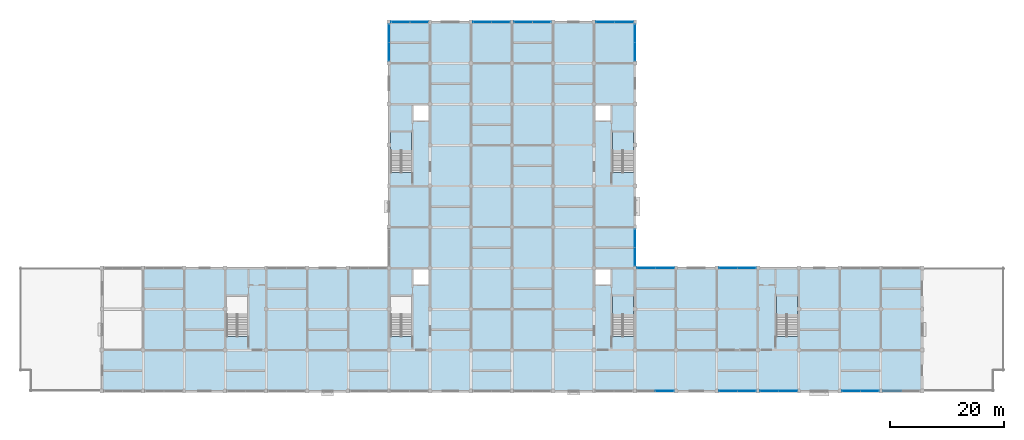
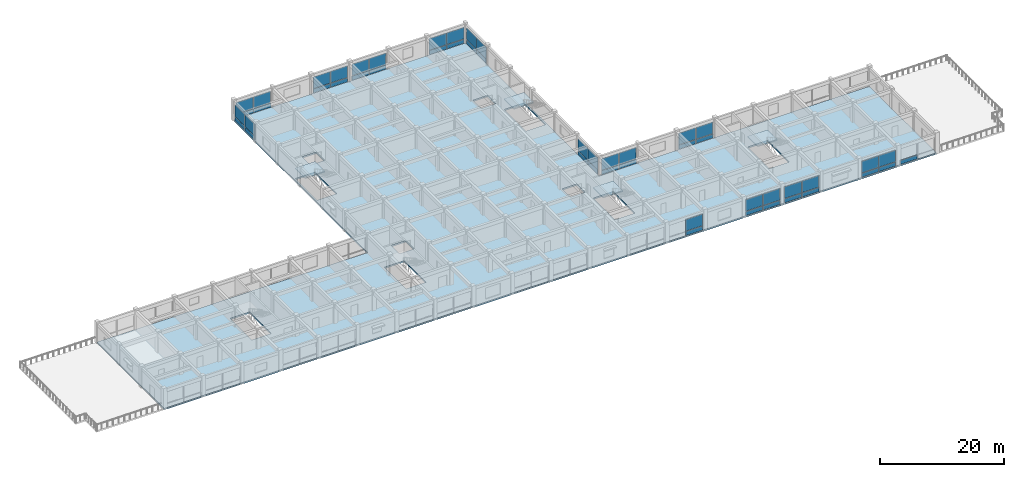
# One storey, part 17 of 31: 51 plates, 5 slabs, 18 elements without a shape of their own.
"""IFC4 building model written with IfcOpenShell, lengths in metres."""

from ifc_helpers import new_model, si_unit, direction, frame, origin, origin_2d, place, context, subcontext, project, spatial, polyline, rectangle, outline, extrude, material, layer, layer_set, type_object, element, aggregate, save


model = new_model("IFC4")

# Units and contexts
model_context = context("Model", 3, precision=1e-05, world=origin(), true_north=direction((0.0, 1.0)))
body_context = subcontext(model_context, "Body", "Model", "MODEL_VIEW")
ifc_project = project(units=[si_unit("LENGTHUNIT", "METRE"), si_unit("AREAUNIT", "SQUARE_METRE"), si_unit("VOLUMEUNIT", "CUBIC_METRE"), si_unit("PLANEANGLEUNIT", "RADIAN"), si_unit("MASSUNIT", "GRAM", prefix="KILO")], contexts=[model_context])

# Site, building, storey
site_placement = place(None, origin())
site = spatial("IfcSite", under=ifc_project, at=site_placement, CompositionType="ELEMENT")
building_placement = place(site_placement, origin())
building = spatial("IfcBuilding", under=site, at=building_placement, Name="Cendaluz Park School", CompositionType="ELEMENT")
storey_placement = place(building_placement, frame((0.0, 0.0, 14.39990234375)))
storey = spatial("IfcBuildingStorey", under=building, at=storey_placement, Name="L03", CompositionType="ELEMENT", Elevation=14.39990234375)

# Curtain wall, plates
ifc_material_1 = material(Name="Anodised Aluminium 6063-T6", Category="aluminium")
ifc_layer_1 = layer(ifc_material_1, 0.179931640625)
ifc_layer_set_1 = layer_set([ifc_layer_1], Name="Anodised Aluminium 6063-T6")
curtain_wall_type_1 = type_object("IfcCurtainWallType", Name="CW-130x66", PredefinedType="NOTDEFINED", material=ifc_layer_set_1)
curtain_wall_1_placement = place(storey_placement, origin())
curtain_wall_1 = element("IfcCurtainWall", 1, at=curtain_wall_1_placement, inside=storey, type_object=curtain_wall_type_1, Name="CW-L03-147", PredefinedType="NOTDEFINED")
ifc_material_2 = material(Name="Tempered Low-E Double Glazing", Category="glass")
ifc_layer_2 = layer(ifc_material_2, 0.028076171875)
ifc_layer_set_2 = layer_set([ifc_layer_2], Name="Tempered Low-E Double Glazing")
plate_type_1 = type_object("IfcPlateType", Name="CWP-G01", PredefinedType="CURTAIN_PANEL", material=ifc_layer_set_2)
plate_1_placement = place(storey_placement, frame((88.392578125, 72.0, 0.93505859375), z_axis=(0.0, 0.0, 1.0), x_axis=(1.0, 0.0, 0.0)))
plate_1 = element("IfcPlate", 2, at=plate_1_placement, type_object=plate_type_1, Name="CP-L03-1906", PredefinedType="CURTAIN_PANEL", context=body_context, shape_type="SweptSolid", body=[
    extrude(rectangle(XDim=3.14501953125, YDim=0.028076171875, at=origin_2d()), origin(), (0.0, 0.0, 1.0), 2.304931640625),
])
plate_2_placement = place(storey_placement, frame((91.607421875, 72.0, 0.93505859375), z_axis=(0.0, 0.0, 1.0), x_axis=(1.0, 0.0, 0.0)))
plate_2 = element("IfcPlate", 3, at=plate_2_placement, type_object=plate_type_1, Name="CP-L03-1911", PredefinedType="CURTAIN_PANEL", context=body_context, shape_type="SweptSolid", body=[
    extrude(rectangle(XDim=3.14501953125, YDim=0.028076171875, at=origin_2d()), origin(), (0.0, 0.0, 1.0), 2.304931640625),
])

curtain_wall_2_placement = place(storey_placement, origin())
curtain_wall_2 = element("IfcCurtainWall", 4, at=curtain_wall_2_placement, inside=storey, type_object=curtain_wall_type_1, Name="CW-L03-157", PredefinedType="NOTDEFINED")
plate_3_placement = place(storey_placement, frame((145.992431640625, 7.199951171875, 0.93505859375), z_axis=(0.0, 0.0, 1.0), x_axis=(1.0, 0.0, 0.0)))
plate_3 = element("IfcPlate", 5, at=plate_3_placement, type_object=plate_type_1, Name="CP-L03-2036", PredefinedType="CURTAIN_PANEL", context=body_context, shape_type="SweptSolid", body=[
    extrude(rectangle(XDim=3.14501953125, YDim=0.028076171875, at=origin_2d()), origin(), (0.0, 0.0, 1.0), 2.304931640625),
])
plate_4_placement = place(storey_placement, frame((149.20751953125, 7.199951171875, 0.93505859375), z_axis=(0.0, 0.0, 1.0), x_axis=(1.0, 0.0, 0.0)))
plate_4 = element("IfcPlate", 6, at=plate_4_placement, type_object=plate_type_1, Name="CP-L03-2041", PredefinedType="CURTAIN_PANEL", context=body_context, shape_type="SweptSolid", body=[
    extrude(rectangle(XDim=3.14501953125, YDim=0.028076171875, at=origin_2d()), origin(), (0.0, 0.0, 1.0), 2.304931640625),
])

ifc_layer_3 = layer(ifc_material_1, 0.179931640625)
ifc_layer_set_3 = layer_set([ifc_layer_3], Name="Anodised Aluminium 6063-T6")
curtain_wall_type_2 = type_object("IfcCurtainWallType", Name="CW-132x66", PredefinedType="NOTDEFINED", material=ifc_layer_set_3)
curtain_wall_3_placement = place(storey_placement, origin())
curtain_wall_3 = element("IfcCurtainWall", 7, at=curtain_wall_3_placement, inside=storey, type_object=curtain_wall_type_2, Name="CW-L03-142", PredefinedType="NOTDEFINED")
ifc_layer_4 = layer(ifc_material_2, 0.0380859375)
ifc_layer_set_4 = layer_set([ifc_layer_4], Name="Tempered Low-E Double Glazing")
plate_type_2 = type_object("IfcPlateType", Name="CWP-G02", PredefinedType="CURTAIN_PANEL", material=ifc_layer_set_4)
plate_5_placement = place(storey_placement, frame((66.8173828125, 72.0, 0.93505859375), z_axis=(0.0, 0.0, 1.0), x_axis=(1.0, 0.0, 0.0)))
plate_5 = element("IfcPlate", 8, at=plate_5_placement, type_object=plate_type_2, Name="CP-L03-1841", PredefinedType="CURTAIN_PANEL", context=body_context, shape_type="SweptSolid", body=[
    extrude(rectangle(XDim=3.195068359375, YDim=0.0380859375, at=origin_2d()), origin(), (0.0, 0.0, 1.0), 2.304931640625),
])
plate_6_placement = place(storey_placement, frame((70.08251953125, 72.0, 0.93505859375), z_axis=(0.0, 0.0, 1.0), x_axis=(1.0, 0.0, 0.0)))
plate_6 = element("IfcPlate", 9, at=plate_6_placement, type_object=plate_type_2, Name="CP-L03-1846", PredefinedType="CURTAIN_PANEL", context=body_context, shape_type="SweptSolid", body=[
    extrude(rectangle(XDim=3.195068359375, YDim=0.0380859375, at=origin_2d()), origin(), (0.0, 0.0, 1.0), 2.304931640625),
])

curtain_wall_4_placement = place(storey_placement, origin())
curtain_wall_4 = element("IfcCurtainWall", 10, at=curtain_wall_4_placement, inside=storey, type_object=curtain_wall_type_1, Name="CW-L03-143", PredefinedType="NOTDEFINED")
plate_7_placement = place(storey_placement, frame((64.800048828125, 66.79248046875, 0.93505859375), z_axis=(0.0, 0.0, 1.0), x_axis=(0.0, 1.0, 0.0)))
plate_7 = element("IfcPlate", 11, at=plate_7_placement, type_object=plate_type_2, Name="CP-L03-1854", PredefinedType="CURTAIN_PANEL", context=body_context, shape_type="SweptSolid", body=[
    extrude(rectangle(XDim=3.14501953125, YDim=0.0380859375, at=origin_2d()), origin(), (0.0, 0.0, 1.0), 2.304931640625),
])
plate_8_placement = place(storey_placement, frame((64.800048828125, 70.007568359375, 0.93505859375), z_axis=(0.0, 0.0, 1.0), x_axis=(0.0, 1.0, 0.0)))
plate_8 = element("IfcPlate", 12, at=plate_8_placement, type_object=plate_type_2, Name="CP-L03-1859", PredefinedType="CURTAIN_PANEL", context=body_context, shape_type="SweptSolid", body=[
    extrude(rectangle(XDim=3.14501953125, YDim=0.0380859375, at=origin_2d()), origin(), (0.0, 0.0, 1.0), 2.304931640625),
])

curtain_wall_5_placement = place(storey_placement, origin())
curtain_wall_5 = element("IfcCurtainWall", 13, at=curtain_wall_5_placement, inside=storey, type_object=curtain_wall_type_1, Name="CW-L03-154", PredefinedType="NOTDEFINED")
plate_9_placement = place(storey_placement, frame((124.392578125, 7.199951171875, 0.93505859375), z_axis=(0.0, 0.0, 1.0), x_axis=(1.0, 0.0, 0.0)))
plate_9 = element("IfcPlate", 14, at=plate_9_placement, type_object=plate_type_2, Name="CP-L03-1997", PredefinedType="CURTAIN_PANEL", context=body_context, shape_type="SweptSolid", body=[
    extrude(rectangle(XDim=3.14501953125, YDim=0.0380859375, at=origin_2d()), origin(), (0.0, 0.0, 1.0), 2.304931640625),
])
plate_10_placement = place(storey_placement, frame((127.607421875, 7.199951171875, 0.93505859375), z_axis=(0.0, 0.0, 1.0), x_axis=(1.0, 0.0, 0.0)))
plate_10 = element("IfcPlate", 15, at=plate_10_placement, type_object=plate_type_2, Name="CP-L03-2002", PredefinedType="CURTAIN_PANEL", context=body_context, shape_type="SweptSolid", body=[
    extrude(rectangle(XDim=3.14501953125, YDim=0.0380859375, at=origin_2d()), origin(), (0.0, 0.0, 1.0), 2.304931640625),
])

curtain_wall_6_placement = place(storey_placement, origin())
curtain_wall_6 = element("IfcCurtainWall", 16, at=curtain_wall_6_placement, inside=storey, type_object=curtain_wall_type_1, Name="CW-L03-155", PredefinedType="NOTDEFINED")
plate_11_placement = place(storey_placement, frame((124.392578125, 28.800048828125, 0.93505859375), z_axis=(0.0, 0.0, 1.0), x_axis=(1.0, 0.0, 0.0)))
plate_11 = element("IfcPlate", 17, at=plate_11_placement, type_object=plate_type_2, Name="CP-L03-2010", PredefinedType="CURTAIN_PANEL", context=body_context, shape_type="SweptSolid", body=[
    extrude(rectangle(XDim=3.14501953125, YDim=0.0380859375, at=origin_2d()), origin(), (0.0, 0.0, 1.0), 2.304931640625),
])
plate_12_placement = place(storey_placement, frame((127.607421875, 28.800048828125, 0.93505859375), z_axis=(0.0, 0.0, 1.0), x_axis=(1.0, 0.0, 0.0)))
plate_12 = element("IfcPlate", 18, at=plate_12_placement, type_object=plate_type_2, Name="CP-L03-2015", PredefinedType="CURTAIN_PANEL", context=body_context, shape_type="SweptSolid", body=[
    extrude(rectangle(XDim=3.14501953125, YDim=0.0380859375, at=origin_2d()), origin(), (0.0, 0.0, 1.0), 2.304931640625),
])

curtain_wall_7_placement = place(storey_placement, origin())
curtain_wall_7 = element("IfcCurtainWall", 19, at=curtain_wall_7_placement, inside=storey, type_object=curtain_wall_type_2, Name="CW-L03-150", PredefinedType="NOTDEFINED")
ifc_layer_5 = layer(ifc_material_2, 0.048095703125)
ifc_layer_set_5 = layer_set([ifc_layer_5], Name="Tempered Low-E Double Glazing")
plate_type_3 = type_object("IfcPlateType", Name="CWP-G03", PredefinedType="CURTAIN_PANEL", material=ifc_layer_set_5)
plate_13_placement = place(storey_placement, frame((102.8173828125, 72.0, 0.93505859375), z_axis=(0.0, 0.0, 1.0), x_axis=(1.0, 0.0, 0.0)))
plate_13 = element("IfcPlate", 20, at=plate_13_placement, type_object=plate_type_3, Name="CP-L03-1945", PredefinedType="CURTAIN_PANEL", context=body_context, shape_type="SweptSolid", body=[
    extrude(rectangle(XDim=3.195068359375, YDim=0.048095703125, at=origin_2d()), origin(), (0.0, 0.0, 1.0), 2.304931640625),
])
plate_14_placement = place(storey_placement, frame((106.08251953125, 72.0, 0.93505859375), z_axis=(0.0, 0.0, 1.0), x_axis=(1.0, 0.0, 0.0)))
plate_14 = element("IfcPlate", 21, at=plate_14_placement, type_object=plate_type_3, Name="CP-L03-1950", PredefinedType="CURTAIN_PANEL", context=body_context, shape_type="SweptSolid", body=[
    extrude(rectangle(XDim=3.195068359375, YDim=0.048095703125, at=origin_2d()), origin(), (0.0, 0.0, 1.0), 2.304931640625),
])

curtain_wall_8_placement = place(storey_placement, origin())
curtain_wall_8 = element("IfcCurtainWall", 22, at=curtain_wall_8_placement, inside=storey, type_object=curtain_wall_type_2, Name="CW-L03-156", PredefinedType="NOTDEFINED")
plate_15_placement = place(storey_placement, frame((131.617431640625, 7.199951171875, 0.93505859375), z_axis=(0.0, 0.0, 1.0), x_axis=(1.0, 0.0, 0.0)))
plate_15 = element("IfcPlate", 23, at=plate_15_placement, type_object=plate_type_3, Name="CP-L03-2023", PredefinedType="CURTAIN_PANEL", context=body_context, shape_type="SweptSolid", body=[
    extrude(rectangle(XDim=3.195068359375, YDim=0.048095703125, at=origin_2d()), origin(), (0.0, 0.0, 1.0), 2.304931640625),
])
plate_16_placement = place(storey_placement, frame((134.882568359375, 7.199951171875, 0.93505859375), z_axis=(0.0, 0.0, 1.0), x_axis=(1.0, 0.0, 0.0)))
plate_16 = element("IfcPlate", 24, at=plate_16_placement, type_object=plate_type_3, Name="CP-L03-2028", PredefinedType="CURTAIN_PANEL", context=body_context, shape_type="SweptSolid", body=[
    extrude(rectangle(XDim=3.195068359375, YDim=0.048095703125, at=origin_2d()), origin(), (0.0, 0.0, 1.0), 2.304931640625),
])

curtain_wall_9_placement = place(storey_placement, origin())
curtain_wall_9 = element("IfcCurtainWall", 25, at=curtain_wall_9_placement, inside=storey, type_object=curtain_wall_type_1, Name="CW-L03-145", PredefinedType="NOTDEFINED")
ifc_layer_6 = layer(ifc_material_2, 0.05810546875)
ifc_layer_set_6 = layer_set([ifc_layer_6], Name="Tempered Low-E Double Glazing")
plate_type_4 = type_object("IfcPlateType", Name="CWP-G04", PredefinedType="CURTAIN_PANEL", material=ifc_layer_set_6)
plate_17_placement = place(storey_placement, frame((81.1923828125, 72.0, 0.93505859375), z_axis=(0.0, 0.0, 1.0), x_axis=(1.0, 0.0, 0.0)))
plate_17 = element("IfcPlate", 26, at=plate_17_placement, type_object=plate_type_4, Name="CP-L03-1880", PredefinedType="CURTAIN_PANEL", context=body_context, shape_type="SweptSolid", body=[
    extrude(rectangle(XDim=3.14501953125, YDim=0.05810546875, at=origin_2d()), origin(), (0.0, 0.0, 1.0), 2.304931640625),
])
plate_18_placement = place(storey_placement, frame((84.407470703125, 72.0, 0.93505859375), z_axis=(0.0, 0.0, 1.0), x_axis=(1.0, 0.0, 0.0)))
plate_18 = element("IfcPlate", 27, at=plate_18_placement, type_object=plate_type_4, Name="CP-L03-1885", PredefinedType="CURTAIN_PANEL", context=body_context, shape_type="SweptSolid", body=[
    extrude(rectangle(XDim=3.14501953125, YDim=0.05810546875, at=origin_2d()), origin(), (0.0, 0.0, 1.0), 2.304931640625),
])

curtain_wall_10_placement = place(storey_placement, origin())
curtain_wall_10 = element("IfcCurtainWall", 28, at=curtain_wall_10_placement, inside=storey, type_object=curtain_wall_type_1, Name="CW-L03-149", PredefinedType="NOTDEFINED")
plate_19_placement = place(storey_placement, frame((108.0, 30.7861328125, 0.93505859375), z_axis=(0.0, 0.0, 1.0), x_axis=(0.0, 1.0, 0.0)))
plate_19 = element("IfcPlate", 29, at=plate_19_placement, type_object=plate_type_4, Name="CP-L03-1932", PredefinedType="CURTAIN_PANEL", context=body_context, shape_type="SweptSolid", body=[
    extrude(rectangle(XDim=3.132568359375, YDim=0.05810546875, at=origin_2d()), origin(), (0.0, 0.0, 1.0), 2.304931640625),
])
plate_20_placement = place(storey_placement, frame((108.0, 33.98876953125, 0.93505859375), z_axis=(0.0, 0.0, 1.0), x_axis=(0.0, 1.0, 0.0)))
plate_20 = element("IfcPlate", 30, at=plate_20_placement, type_object=plate_type_4, Name="CP-L03-1937", PredefinedType="CURTAIN_PANEL", context=body_context, shape_type="SweptSolid", body=[
    extrude(rectangle(XDim=3.132568359375, YDim=0.05810546875, at=origin_2d()), origin(), (0.0, 0.0, 1.0), 2.304931640625),
])

curtain_wall_11_placement = place(storey_placement, origin())
curtain_wall_11 = element("IfcCurtainWall", 31, at=curtain_wall_11_placement, inside=storey, type_object=curtain_wall_type_1, Name="CW-L03-151", PredefinedType="NOTDEFINED")
plate_21_placement = place(storey_placement, frame((108.0, 66.7861328125, 0.93505859375), z_axis=(0.0, 0.0, 1.0), x_axis=(0.0, 1.0, 0.0)))
plate_21 = element("IfcPlate", 32, at=plate_21_placement, type_object=plate_type_4, Name="CP-L03-1958", PredefinedType="CURTAIN_PANEL", context=body_context, shape_type="SweptSolid", body=[
    extrude(rectangle(XDim=3.132568359375, YDim=0.05810546875, at=origin_2d()), origin(), (0.0, 0.0, 1.0), 2.304931640625),
])
plate_22_placement = place(storey_placement, frame((108.0, 69.98876953125, 0.93505859375), z_axis=(0.0, 0.0, 1.0), x_axis=(0.0, 1.0, 0.0)))
plate_22 = element("IfcPlate", 33, at=plate_22_placement, type_object=plate_type_4, Name="CP-L03-1963", PredefinedType="CURTAIN_PANEL", context=body_context, shape_type="SweptSolid", body=[
    extrude(rectangle(XDim=3.132568359375, YDim=0.05810546875, at=origin_2d()), origin(), (0.0, 0.0, 1.0), 2.304931640625),
])

# Curtain wall, plate
curtain_wall_12_placement = place(storey_placement, origin())
curtain_wall_12 = element("IfcCurtainWall", 34, at=curtain_wall_12_placement, inside=storey, type_object=curtain_wall_type_1, Name="CW-L03-152", PredefinedType="NOTDEFINED")
plate_23_placement = place(storey_placement, frame((113.20751953125, 7.199951171875, 0.93505859375), z_axis=(0.0, 0.0, 1.0), x_axis=(1.0, 0.0, 0.0)))
plate_23 = element("IfcPlate", 35, at=plate_23_placement, type_object=plate_type_4, Name="CP-L03-1976", PredefinedType="CURTAIN_PANEL", context=body_context, shape_type="SweptSolid", body=[
    extrude(rectangle(XDim=3.14501953125, YDim=0.05810546875, at=origin_2d()), origin(), (0.0, 0.0, 1.0), 2.304931640625),
])

# Curtain wall, plates
curtain_wall_13_placement = place(storey_placement, origin())
curtain_wall_13 = element("IfcCurtainWall", 36, at=curtain_wall_13_placement, inside=storey, type_object=curtain_wall_type_2, Name="CW-L03-153", PredefinedType="NOTDEFINED")
plate_24_placement = place(storey_placement, frame((110.017578125, 28.800048828125, 0.93505859375), z_axis=(0.0, 0.0, 1.0), x_axis=(1.0, 0.0, 0.0)))
plate_24 = element("IfcPlate", 37, at=plate_24_placement, type_object=plate_type_4, Name="CP-L03-1984", PredefinedType="CURTAIN_PANEL", context=body_context, shape_type="SweptSolid", body=[
    extrude(rectangle(XDim=3.195068359375, YDim=0.05810546875, at=origin_2d()), origin(), (0.0, 0.0, 1.0), 2.304931640625),
])
plate_25_placement = place(storey_placement, frame((113.282470703125, 28.800048828125, 0.93505859375), z_axis=(0.0, 0.0, 1.0), x_axis=(1.0, 0.0, 0.0)))
plate_25 = element("IfcPlate", 38, at=plate_25_placement, type_object=plate_type_4, Name="CP-L03-1989", PredefinedType="CURTAIN_PANEL", context=body_context, shape_type="SweptSolid", body=[
    extrude(rectangle(XDim=3.195068359375, YDim=0.05810546875, at=origin_2d()), origin(), (0.0, 0.0, 1.0), 2.304931640625),
])

# Plate
ifc_layer_7 = layer(ifc_material_1, 0.080078125)
ifc_layer_set_7 = layer_set([ifc_layer_7], Name="Anodised Aluminium 6063-T6")
plate_type_5 = type_object("IfcPlateType", Name="CWP-S01", PredefinedType="CURTAIN_PANEL", material=ifc_layer_set_7)
plate_26_placement = place(storey_placement, frame((108.0, 30.7861328125, 0.070068359375), z_axis=(0.0, 0.0, 1.0), x_axis=(0.0, 1.0, 0.0)))
plate_26 = element("IfcPlate", 39, at=plate_26_placement, type_object=plate_type_5, Name="CP-L03-1931", PredefinedType="CURTAIN_PANEL", context=body_context, shape_type="SweptSolid", body=[
    extrude(rectangle(XDim=3.132568359375, YDim=0.080078125, at=origin_2d()), origin(), (0.0, 0.0, 1.0), 0.794921875),
])

plate_27_placement = place(storey_placement, frame((108.0, 33.98876953125, 0.070068359375), z_axis=(0.0, 0.0, 1.0), x_axis=(0.0, 1.0, 0.0)))
plate_27 = element("IfcPlate", 40, at=plate_27_placement, type_object=plate_type_5, Name="CP-L03-1936", PredefinedType="CURTAIN_PANEL", context=body_context, shape_type="SweptSolid", body=[
    extrude(rectangle(XDim=3.132568359375, YDim=0.080078125, at=origin_2d()), origin(), (0.0, 0.0, 1.0), 0.794921875),
])

aggregate(curtain_wall_10, [plate_26, plate_19, plate_27, plate_20])

plate_28_placement = place(storey_placement, frame((110.017578125, 28.800048828125, 0.070068359375), z_axis=(0.0, 0.0, 1.0), x_axis=(1.0, 0.0, 0.0)))
plate_28 = element("IfcPlate", 41, at=plate_28_placement, type_object=plate_type_5, Name="CP-L03-1983", PredefinedType="CURTAIN_PANEL", context=body_context, shape_type="SweptSolid", body=[
    extrude(rectangle(XDim=3.195068359375, YDim=0.080078125, at=origin_2d()), origin(), (0.0, 0.0, 1.0), 0.794921875),
])

plate_29_placement = place(storey_placement, frame((113.282470703125, 28.800048828125, 0.070068359375), z_axis=(0.0, 0.0, 1.0), x_axis=(1.0, 0.0, 0.0)))
plate_29 = element("IfcPlate", 42, at=plate_29_placement, type_object=plate_type_5, Name="CP-L03-1988", PredefinedType="CURTAIN_PANEL", context=body_context, shape_type="SweptSolid", body=[
    extrude(rectangle(XDim=3.195068359375, YDim=0.080078125, at=origin_2d()), origin(), (0.0, 0.0, 1.0), 0.794921875),
])

aggregate(curtain_wall_13, [plate_28, plate_24, plate_29, plate_25])

plate_30_placement = place(storey_placement, frame((124.392578125, 28.800048828125, 0.070068359375), z_axis=(0.0, 0.0, 1.0), x_axis=(1.0, 0.0, 0.0)))
plate_30 = element("IfcPlate", 43, at=plate_30_placement, type_object=plate_type_5, Name="CP-L03-2009", PredefinedType="CURTAIN_PANEL", context=body_context, shape_type="SweptSolid", body=[
    extrude(rectangle(XDim=3.14501953125, YDim=0.080078125, at=origin_2d()), origin(), (0.0, 0.0, 1.0), 0.794921875),
])

plate_31_placement = place(storey_placement, frame((127.607421875, 28.800048828125, 0.070068359375), z_axis=(0.0, 0.0, 1.0), x_axis=(1.0, 0.0, 0.0)))
plate_31 = element("IfcPlate", 44, at=plate_31_placement, type_object=plate_type_5, Name="CP-L03-2014", PredefinedType="CURTAIN_PANEL", context=body_context, shape_type="SweptSolid", body=[
    extrude(rectangle(XDim=3.14501953125, YDim=0.080078125, at=origin_2d()), origin(), (0.0, 0.0, 1.0), 0.794921875),
])

aggregate(curtain_wall_6, [plate_30, plate_11, plate_31, plate_12])

ifc_layer_8 = layer(ifc_material_1, 0.094970703125)
ifc_layer_set_8 = layer_set([ifc_layer_8], Name="Anodised Aluminium 6063-T6")
plate_type_6 = type_object("IfcPlateType", Name="CWP-S02", PredefinedType="CURTAIN_PANEL", material=ifc_layer_set_8)
plate_32_placement = place(storey_placement, frame((64.800048828125, 66.79248046875, 0.070068359375), z_axis=(0.0, 0.0, 1.0), x_axis=(0.0, 1.0, 0.0)))
plate_32 = element("IfcPlate", 45, at=plate_32_placement, type_object=plate_type_6, Name="CP-L03-1853", PredefinedType="CURTAIN_PANEL", context=body_context, shape_type="SweptSolid", body=[
    extrude(rectangle(XDim=3.14501953125, YDim=0.094970703125, at=origin_2d()), origin(), (0.0, 0.0, 1.0), 0.794921875),
])

plate_33_placement = place(storey_placement, frame((64.800048828125, 70.007568359375, 0.070068359375), z_axis=(0.0, 0.0, 1.0), x_axis=(0.0, 1.0, 0.0)))
plate_33 = element("IfcPlate", 46, at=plate_33_placement, type_object=plate_type_6, Name="CP-L03-1858", PredefinedType="CURTAIN_PANEL", context=body_context, shape_type="SweptSolid", body=[
    extrude(rectangle(XDim=3.14501953125, YDim=0.094970703125, at=origin_2d()), origin(), (0.0, 0.0, 1.0), 0.794921875),
])

aggregate(curtain_wall_4, [plate_32, plate_7, plate_33, plate_8])

plate_34_placement = place(storey_placement, frame((108.0, 66.7861328125, 0.070068359375), z_axis=(0.0, 0.0, 1.0), x_axis=(0.0, 1.0, 0.0)))
plate_34 = element("IfcPlate", 47, at=plate_34_placement, type_object=plate_type_6, Name="CP-L03-1957", PredefinedType="CURTAIN_PANEL", context=body_context, shape_type="SweptSolid", body=[
    extrude(rectangle(XDim=3.132568359375, YDim=0.094970703125, at=origin_2d()), origin(), (0.0, 0.0, 1.0), 0.794921875),
])

plate_35_placement = place(storey_placement, frame((108.0, 69.98876953125, 0.070068359375), z_axis=(0.0, 0.0, 1.0), x_axis=(0.0, 1.0, 0.0)))
plate_35 = element("IfcPlate", 48, at=plate_35_placement, type_object=plate_type_6, Name="CP-L03-1962", PredefinedType="CURTAIN_PANEL", context=body_context, shape_type="SweptSolid", body=[
    extrude(rectangle(XDim=3.132568359375, YDim=0.094970703125, at=origin_2d()), origin(), (0.0, 0.0, 1.0), 0.794921875),
])

aggregate(curtain_wall_11, [plate_34, plate_21, plate_35, plate_22])

plate_36_placement = place(storey_placement, frame((113.20751953125, 7.199951171875, 0.070068359375), z_axis=(0.0, 0.0, 1.0), x_axis=(1.0, 0.0, 0.0)))
plate_36 = element("IfcPlate", 49, at=plate_36_placement, type_object=plate_type_6, Name="CP-L03-1975", PredefinedType="CURTAIN_PANEL", context=body_context, shape_type="SweptSolid", body=[
    extrude(rectangle(XDim=3.14501953125, YDim=0.094970703125, at=origin_2d()), origin(), (0.0, 0.0, 1.0), 0.794921875),
])

aggregate(curtain_wall_12, [plate_36, plate_23])

plate_37_placement = place(storey_placement, frame((124.392578125, 7.199951171875, 0.070068359375), z_axis=(0.0, 0.0, 1.0), x_axis=(1.0, 0.0, 0.0)))
plate_37 = element("IfcPlate", 50, at=plate_37_placement, type_object=plate_type_6, Name="CP-L03-1996", PredefinedType="CURTAIN_PANEL", context=body_context, shape_type="SweptSolid", body=[
    extrude(rectangle(XDim=3.14501953125, YDim=0.094970703125, at=origin_2d()), origin(), (0.0, 0.0, 1.0), 0.794921875),
])

plate_38_placement = place(storey_placement, frame((127.607421875, 7.199951171875, 0.070068359375), z_axis=(0.0, 0.0, 1.0), x_axis=(1.0, 0.0, 0.0)))
plate_38 = element("IfcPlate", 51, at=plate_38_placement, type_object=plate_type_6, Name="CP-L03-2001", PredefinedType="CURTAIN_PANEL", context=body_context, shape_type="SweptSolid", body=[
    extrude(rectangle(XDim=3.14501953125, YDim=0.094970703125, at=origin_2d()), origin(), (0.0, 0.0, 1.0), 0.794921875),
])

aggregate(curtain_wall_5, [plate_37, plate_9, plate_38, plate_10])

plate_39_placement = place(storey_placement, frame((131.617431640625, 7.199951171875, 0.070068359375), z_axis=(0.0, 0.0, 1.0), x_axis=(1.0, 0.0, 0.0)))
plate_39 = element("IfcPlate", 52, at=plate_39_placement, type_object=plate_type_6, Name="CP-L03-2022", PredefinedType="CURTAIN_PANEL", context=body_context, shape_type="SweptSolid", body=[
    extrude(rectangle(XDim=3.195068359375, YDim=0.094970703125, at=origin_2d()), origin(), (0.0, 0.0, 1.0), 0.794921875),
])

plate_40_placement = place(storey_placement, frame((134.882568359375, 7.199951171875, 0.070068359375), z_axis=(0.0, 0.0, 1.0), x_axis=(1.0, 0.0, 0.0)))
plate_40 = element("IfcPlate", 53, at=plate_40_placement, type_object=plate_type_6, Name="CP-L03-2027", PredefinedType="CURTAIN_PANEL", context=body_context, shape_type="SweptSolid", body=[
    extrude(rectangle(XDim=3.195068359375, YDim=0.094970703125, at=origin_2d()), origin(), (0.0, 0.0, 1.0), 0.794921875),
])

aggregate(curtain_wall_8, [plate_39, plate_15, plate_40, plate_16])

plate_41_placement = place(storey_placement, frame((145.992431640625, 7.199951171875, 0.070068359375), z_axis=(0.0, 0.0, 1.0), x_axis=(1.0, 0.0, 0.0)))
plate_41 = element("IfcPlate", 54, at=plate_41_placement, type_object=plate_type_6, Name="CP-L03-2035", PredefinedType="CURTAIN_PANEL", context=body_context, shape_type="SweptSolid", body=[
    extrude(rectangle(XDim=3.14501953125, YDim=0.094970703125, at=origin_2d()), origin(), (0.0, 0.0, 1.0), 0.794921875),
])

plate_42_placement = place(storey_placement, frame((149.20751953125, 7.199951171875, 0.070068359375), z_axis=(0.0, 0.0, 1.0), x_axis=(1.0, 0.0, 0.0)))
plate_42 = element("IfcPlate", 55, at=plate_42_placement, type_object=plate_type_6, Name="CP-L03-2040", PredefinedType="CURTAIN_PANEL", context=body_context, shape_type="SweptSolid", body=[
    extrude(rectangle(XDim=3.14501953125, YDim=0.094970703125, at=origin_2d()), origin(), (0.0, 0.0, 1.0), 0.794921875),
])

aggregate(curtain_wall_2, [plate_41, plate_3, plate_42, plate_4])

# Curtain wall, plate
curtain_wall_14_placement = place(storey_placement, origin())
curtain_wall_14 = element("IfcCurtainWall", 56, at=curtain_wall_14_placement, inside=storey, type_object=curtain_wall_type_1, Name="CW-L03-159", PredefinedType="NOTDEFINED")
plate_43_placement = place(storey_placement, frame((153.1923828125, 7.199951171875, 0.070068359375), z_axis=(0.0, 0.0, 1.0), x_axis=(1.0, 0.0, 0.0)))
plate_43 = element("IfcPlate", 57, at=plate_43_placement, type_object=plate_type_6, Name="CP-L03-2061", PredefinedType="CURTAIN_PANEL", context=body_context, shape_type="SweptSolid", body=[
    extrude(rectangle(XDim=3.14501953125, YDim=0.094970703125, at=origin_2d()), origin(), (0.0, 0.0, 1.0), 0.794921875),
])
aggregate(curtain_wall_14, [plate_43])

# Plate
ifc_layer_9 = layer(ifc_material_1, 0.110107421875)
ifc_layer_set_9 = layer_set([ifc_layer_9], Name="Anodised Aluminium 6063-T6")
plate_type_7 = type_object("IfcPlateType", Name="CWP-S03", PredefinedType="CURTAIN_PANEL", material=ifc_layer_set_9)
plate_44_placement = place(storey_placement, frame((66.8173828125, 72.0, 0.070068359375), z_axis=(0.0, 0.0, 1.0), x_axis=(1.0, 0.0, 0.0)))
plate_44 = element("IfcPlate", 58, at=plate_44_placement, type_object=plate_type_7, Name="CP-L03-1840", PredefinedType="CURTAIN_PANEL", context=body_context, shape_type="SweptSolid", body=[
    extrude(rectangle(XDim=3.195068359375, YDim=0.110107421875, at=origin_2d()), origin(), (0.0, 0.0, 1.0), 0.794921875),
])

plate_45_placement = place(storey_placement, frame((70.08251953125, 72.0, 0.070068359375), z_axis=(0.0, 0.0, 1.0), x_axis=(1.0, 0.0, 0.0)))
plate_45 = element("IfcPlate", 59, at=plate_45_placement, type_object=plate_type_7, Name="CP-L03-1845", PredefinedType="CURTAIN_PANEL", context=body_context, shape_type="SweptSolid", body=[
    extrude(rectangle(XDim=3.195068359375, YDim=0.110107421875, at=origin_2d()), origin(), (0.0, 0.0, 1.0), 0.794921875),
])

aggregate(curtain_wall_3, [plate_44, plate_5, plate_45, plate_6])

plate_46_placement = place(storey_placement, frame((81.1923828125, 72.0, 0.070068359375), z_axis=(0.0, 0.0, 1.0), x_axis=(1.0, 0.0, 0.0)))
plate_46 = element("IfcPlate", 60, at=plate_46_placement, type_object=plate_type_7, Name="CP-L03-1879", PredefinedType="CURTAIN_PANEL", context=body_context, shape_type="SweptSolid", body=[
    extrude(rectangle(XDim=3.14501953125, YDim=0.110107421875, at=origin_2d()), origin(), (0.0, 0.0, 1.0), 0.794921875),
])

plate_47_placement = place(storey_placement, frame((84.407470703125, 72.0, 0.070068359375), z_axis=(0.0, 0.0, 1.0), x_axis=(1.0, 0.0, 0.0)))
plate_47 = element("IfcPlate", 61, at=plate_47_placement, type_object=plate_type_7, Name="CP-L03-1884", PredefinedType="CURTAIN_PANEL", context=body_context, shape_type="SweptSolid", body=[
    extrude(rectangle(XDim=3.14501953125, YDim=0.110107421875, at=origin_2d()), origin(), (0.0, 0.0, 1.0), 0.794921875),
])

aggregate(curtain_wall_9, [plate_46, plate_17, plate_47, plate_18])

plate_48_placement = place(storey_placement, frame((88.392578125, 72.0, 0.070068359375), z_axis=(0.0, 0.0, 1.0), x_axis=(1.0, 0.0, 0.0)))
plate_48 = element("IfcPlate", 62, at=plate_48_placement, type_object=plate_type_7, Name="CP-L03-1905", PredefinedType="CURTAIN_PANEL", context=body_context, shape_type="SweptSolid", body=[
    extrude(rectangle(XDim=3.14501953125, YDim=0.110107421875, at=origin_2d()), origin(), (0.0, 0.0, 1.0), 0.794921875),
])

plate_49_placement = place(storey_placement, frame((91.607421875, 72.0, 0.070068359375), z_axis=(0.0, 0.0, 1.0), x_axis=(1.0, 0.0, 0.0)))
plate_49 = element("IfcPlate", 63, at=plate_49_placement, type_object=plate_type_7, Name="CP-L03-1910", PredefinedType="CURTAIN_PANEL", context=body_context, shape_type="SweptSolid", body=[
    extrude(rectangle(XDim=3.14501953125, YDim=0.110107421875, at=origin_2d()), origin(), (0.0, 0.0, 1.0), 0.794921875),
])

aggregate(curtain_wall_1, [plate_48, plate_1, plate_49, plate_2])

plate_50_placement = place(storey_placement, frame((102.8173828125, 72.0, 0.070068359375), z_axis=(0.0, 0.0, 1.0), x_axis=(1.0, 0.0, 0.0)))
plate_50 = element("IfcPlate", 64, at=plate_50_placement, type_object=plate_type_7, Name="CP-L03-1944", PredefinedType="CURTAIN_PANEL", context=body_context, shape_type="SweptSolid", body=[
    extrude(rectangle(XDim=3.195068359375, YDim=0.110107421875, at=origin_2d()), origin(), (0.0, 0.0, 1.0), 0.794921875),
])

plate_51_placement = place(storey_placement, frame((106.08251953125, 72.0, 0.070068359375), z_axis=(0.0, 0.0, 1.0), x_axis=(1.0, 0.0, 0.0)))
plate_51 = element("IfcPlate", 65, at=plate_51_placement, type_object=plate_type_7, Name="CP-L03-1949", PredefinedType="CURTAIN_PANEL", context=body_context, shape_type="SweptSolid", body=[
    extrude(rectangle(XDim=3.195068359375, YDim=0.110107421875, at=origin_2d()), origin(), (0.0, 0.0, 1.0), 0.794921875),
])

aggregate(curtain_wall_7, [plate_50, plate_13, plate_51, plate_14])

# Slab
ifc_material_3 = material(Name="Concrete C40/50", Category="concrete")
ifc_layer_10 = layer(ifc_material_3, 0.2900390625)
ifc_layer_set_10 = layer_set([ifc_layer_10], Name="Concrete C40/50")
slab_type_1 = type_object("IfcSlabType", Name="SL-FL-290", PredefinedType="FLOOR", material=ifc_layer_set_10)
slab_1_placement = place(storey_placement, frame((0.0, 0.0, -0.289794921875)))
element("IfcSlab", 66, at=slab_1_placement, inside=storey, type_object=slab_type_1, Name="SL-L03-01", PredefinedType="FLOOR", context=body_context, shape_type="SweptSolid", body=[
    extrude(outline(polyline([(64.800048828125, 28.800048828125), (64.800048828125, 72.0), (108.0, 72.0), (108.0, 28.800048828125), (158.39990234375, 28.800048828125), (158.39990234375, 7.199951171875), (14.39990234375, 7.199951171875), (14.39990234375, 28.800048828125), (64.800048828125, 28.800048828125)]), holes=[polyline([(65.080078125, 23.840087890625), (65.080078125, 16.820068359375), (68.77001953125, 16.820068359375), (68.77001953125, 23.840087890625), (65.080078125, 23.840087890625)]), polyline([(71.800048828125, 28.60009765625), (69.10009765625, 28.60009765625), (69.10009765625, 25.93994140625), (71.800048828125, 25.93994140625), (71.800048828125, 28.60009765625)]), polyline([(107.719970703125, 16.820068359375), (107.719970703125, 23.840087890625), (104.030029296875, 23.840087890625), (104.030029296875, 16.820068359375), (107.719970703125, 16.820068359375)]), polyline([(101.0, 25.93994140625), (103.699951171875, 25.93994140625), (103.699951171875, 28.60009765625), (101.0, 28.60009765625), (101.0, 25.93994140625)]), polyline([(65.080078125, 52.639892578125), (65.080078125, 45.6201171875), (68.77001953125, 45.6201171875), (68.77001953125, 52.639892578125), (65.080078125, 52.639892578125)]), polyline([(71.800048828125, 57.39990234375), (69.10009765625, 57.39990234375), (69.10009765625, 54.739990234375), (71.800048828125, 54.739990234375), (71.800048828125, 57.39990234375)]), polyline([(107.719970703125, 45.6201171875), (107.719970703125, 52.639892578125), (104.030029296875, 52.639892578125), (104.030029296875, 45.6201171875), (107.719970703125, 45.6201171875)]), polyline([(101.0, 54.739990234375), (103.699951171875, 54.739990234375), (103.699951171875, 57.39990234375), (101.0, 57.39990234375), (101.0, 54.739990234375)]), polyline([(36.280029296875, 23.840087890625), (36.280029296875, 16.820068359375), (39.969970703125, 16.820068359375), (39.969970703125, 23.840087890625), (36.280029296875, 23.840087890625)]), polyline([(136.52001953125, 23.840087890625), (132.830078125, 23.840087890625), (132.830078125, 16.820068359375), (136.52001953125, 16.820068359375), (136.52001953125, 23.840087890625)])]), origin(), (0.0, 0.0, 1.0), 0.289794921875),
])

# Stair, slab
stair_type = type_object("IfcStairType", Name="ST-420-180", PredefinedType="HALF_TURN_STAIR", material=ifc_material_3)
stair_1_placement = place(storey_placement, origin())
stair_1 = element("IfcStair", 67, at=stair_1_placement, inside=storey, type_object=stair_type, Name="ST-L03-C2", PredefinedType="HALF_TURN_STAIR")
ifc_layer_11 = layer(ifc_material_3, 0.199951171875)
ifc_layer_set_11 = layer_set([ifc_layer_11], Name="Concrete C40/50")
slab_type_2 = type_object("IfcSlabType", Name="SL-LD-200", PredefinedType="LANDING", material=ifc_layer_set_11)
slab_2_placement = place(storey_placement, frame((0.0, 0.0, 1.900146484375)))
slab_2 = element("IfcSlab", 68, at=slab_2_placement, type_object=slab_type_2, Name="SL-LD-L03-C2", PredefinedType="LANDING", context=body_context, shape_type="SweptSolid", body=[
    extrude(outline(polyline([(104.030029296875, 20.659912109375), (107.7099609375, 20.659912109375), (107.7099609375, 23.860107421875), (104.030029296875, 23.860107421875), (104.030029296875, 20.659912109375)])), origin(), (0.0, 0.0, 1.0), 0.199951171875),
])
aggregate(stair_1, [slab_2])

stair_2_placement = place(storey_placement, origin())
stair_2 = element("IfcStair", 69, at=stair_2_placement, inside=storey, type_object=stair_type, Name="ST-L03-C3", PredefinedType="HALF_TURN_STAIR")
slab_3_placement = place(storey_placement, frame((0.0, 0.0, 1.900146484375)))
slab_3 = element("IfcSlab", 70, at=slab_3_placement, type_object=slab_type_2, Name="SL-LD-L03-C3", PredefinedType="LANDING", context=body_context, shape_type="SweptSolid", body=[
    extrude(outline(polyline([(65.090087890625, 49.4599609375), (68.77001953125, 49.4599609375), (68.77001953125, 52.659912109375), (65.090087890625, 52.659912109375), (65.090087890625, 49.4599609375)])), origin(), (0.0, 0.0, 1.0), 0.199951171875),
])
aggregate(stair_2, [slab_3])

stair_3_placement = place(storey_placement, origin())
stair_3 = element("IfcStair", 71, at=stair_3_placement, inside=storey, type_object=stair_type, Name="ST-L03-C4", PredefinedType="HALF_TURN_STAIR")
slab_4_placement = place(storey_placement, frame((0.0, 0.0, 1.900146484375)))
slab_4 = element("IfcSlab", 72, at=slab_4_placement, type_object=slab_type_2, Name="SL-LD-L03-C4", PredefinedType="LANDING", context=body_context, shape_type="SweptSolid", body=[
    extrude(outline(polyline([(104.030029296875, 49.4599609375), (107.7099609375, 49.4599609375), (107.7099609375, 52.659912109375), (104.030029296875, 52.659912109375), (104.030029296875, 49.4599609375)])), origin(), (0.0, 0.0, 1.0), 0.199951171875),
])
aggregate(stair_3, [slab_4])

stair_4_placement = place(storey_placement, origin())
stair_4 = element("IfcStair", 73, at=stair_4_placement, inside=storey, type_object=stair_type, Name="ST-L03-C6", PredefinedType="HALF_TURN_STAIR")
slab_5_placement = place(storey_placement, frame((0.0, 0.0, 1.900146484375)))
slab_5 = element("IfcSlab", 74, at=slab_5_placement, type_object=slab_type_2, Name="SL-LD-L03-C6", PredefinedType="LANDING", context=body_context, shape_type="SweptSolid", body=[
    extrude(outline(polyline([(132.830078125, 20.659912109375), (136.510009765625, 20.659912109375), (136.510009765625, 23.860107421875), (132.830078125, 23.860107421875), (132.830078125, 20.659912109375)])), origin(), (0.0, 0.0, 1.0), 0.199951171875),
])
aggregate(stair_4, [slab_5])

save(model, "model.ifc")
